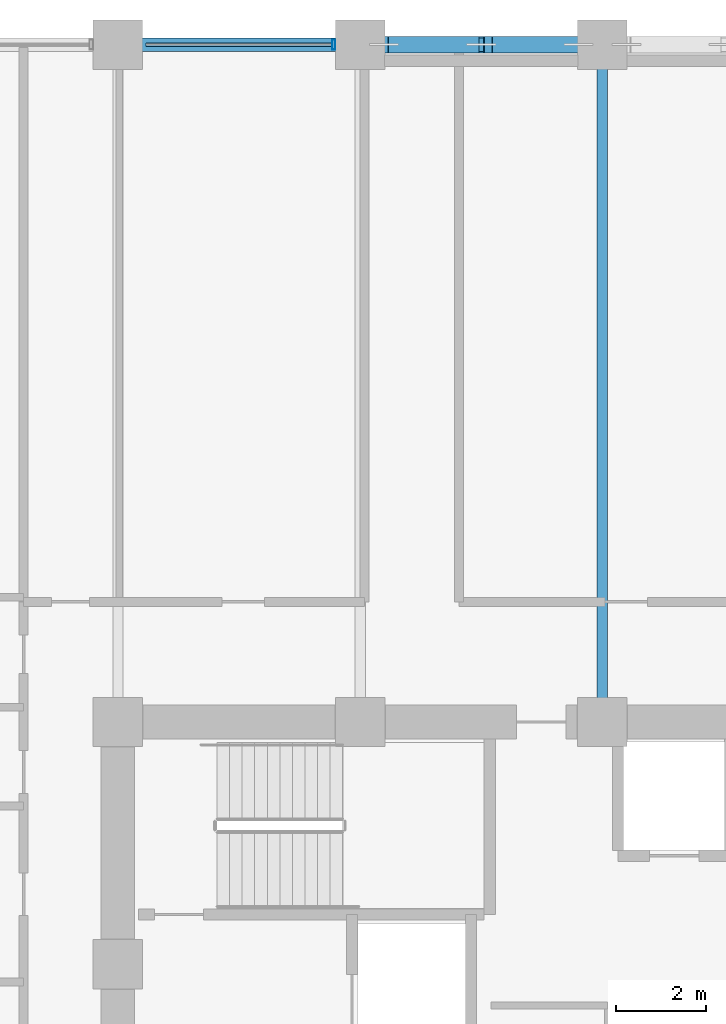
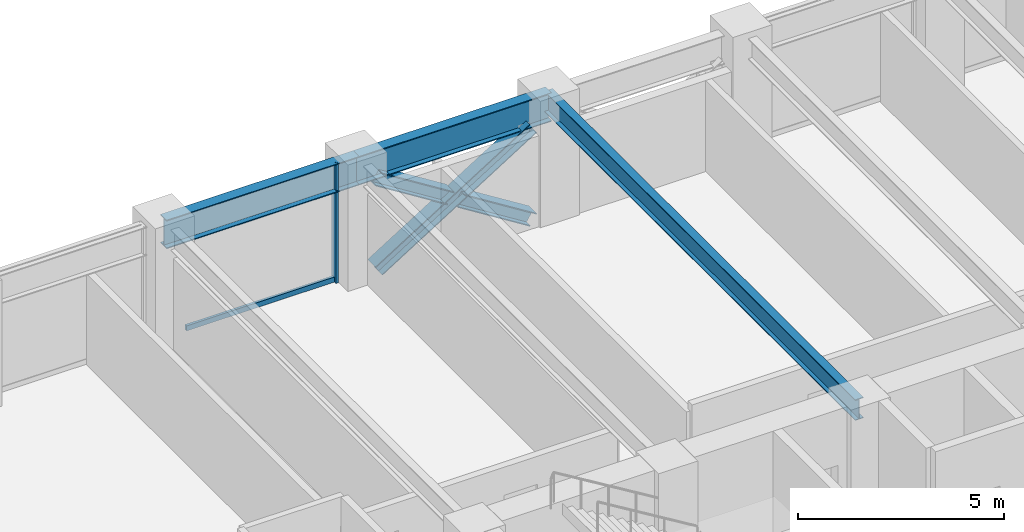
# One storey, part 13 of 25: 5 members, 3 beams, 1 element without a shape of its own.
"""IFC4 building model written with IfcOpenShell, lengths in metres."""

from ifc_helpers import new_model, si_unit, direction, frame, origin, origin_2d, place, context, subcontext, project, spatial, hollow_rectangle, i_section, extrude, material, layer, layer_set, material_profile, profile_set, type_object, element, aggregate, save


model = new_model("IFC4")

# Units and contexts
model_context = context("Model", 3, precision=1e-05, world=origin(), true_north=direction((0.0, 1.0)))
body_context = subcontext(model_context, "Body", "Model", "MODEL_VIEW")
ifc_project = project(units=[si_unit("LENGTHUNIT", "METRE"), si_unit("AREAUNIT", "SQUARE_METRE"), si_unit("VOLUMEUNIT", "CUBIC_METRE"), si_unit("PLANEANGLEUNIT", "RADIAN"), si_unit("MASSUNIT", "GRAM", prefix="KILO")], contexts=[model_context])

# Site, building, storey
site_placement = place(None, origin())
site = spatial("IfcSite", under=ifc_project, at=site_placement, CompositionType="ELEMENT")
building_placement = place(site_placement, origin())
building = spatial("IfcBuilding", under=site, at=building_placement, Name="Surkhivell Harbour Commons", CompositionType="ELEMENT")
storey_placement = place(building_placement, frame((0.0, 0.0, 113.25)))
storey = spatial("IfcBuildingStorey", under=building, at=storey_placement, Name="L29", CompositionType="ELEMENT", Elevation=113.25)

# Beams
ifc_material_1 = material(Name="Steel S355", Category="steel")
ifc_material_profile_1 = material_profile(ifc_material_1, i_section(OverallWidth=0.22998046875, OverallDepth=0.616943359375, WebThickness=0.01318359375, FlangeThickness=0.022216796875, at=origin_2d()), Name="UB610x229x140")
ifc_profile_set_1 = profile_set([ifc_material_profile_1], Name="Steel S355")
beam_type_1 = type_object("IfcBeamType", Name="BM-GRD-610B", PredefinedType="BEAM", material=ifc_profile_set_1)
beam_1_placement = place(storey_placement, frame((0.0, 10.800048828125, 3.261474609375), z_axis=(0.0, 1.0, 0.0), x_axis=(-1.0, 0.0, 0.0)))
element("IfcBeam", 1, at=beam_1_placement, inside=storey, type_object=beam_type_1, Name="L29 Floor Girder (0.0,10.8)", PredefinedType="BEAM", context=body_context, shape_type="SweptSolid", body=[
    extrude(i_section(OverallWidth=0.22998046875, OverallDepth=0.616943359375, WebThickness=0.01318359375, FlangeThickness=0.022216796875, at=origin_2d()), origin(), (0.0, 0.0, 1.0), 15.099853515625),
])
ifc_material_2 = material(Name="Steel S460", Category="steel")
ifc_material_profile_2 = material_profile(ifc_material_2, i_section(OverallWidth=0.2939453125, OverallDepth=0.85107421875, WebThickness=0.01611328125, FlangeThickness=0.02685546875, at=origin_2d()), Name="UB838x292x226")
ifc_profile_set_2 = profile_set([ifc_material_profile_2], Name="Steel S460")
beam_type_2 = type_object("IfcBeamType", Name="BM-SPN-838", PredefinedType="SPANDREL", material=ifc_profile_set_2)
beam_2_placement = place(storey_placement, frame((-10.800048828125, 25.89990234375, 3.14453125), z_axis=(1.0, 0.0, 0.0), x_axis=(0.0, 1.0, 0.0)))
element("IfcBeam", 2, at=beam_2_placement, inside=storey, type_object=beam_type_2, Name="L29 Tube Spandrel (-10.8,25.9)", PredefinedType="SPANDREL", context=body_context, shape_type="SweptSolid", body=[
    extrude(i_section(OverallWidth=0.2939453125, OverallDepth=0.85107421875, WebThickness=0.01611328125, FlangeThickness=0.02685546875, at=origin_2d()), origin(), (0.0, 0.0, 1.0), 5.400146484375),
])
beam_3_placement = place(storey_placement, frame((-5.39990234375, 25.89990234375, 3.14453125), z_axis=(1.0, 0.0, 0.0), x_axis=(0.0, 1.0, 0.0)))
element("IfcBeam", 3, at=beam_3_placement, inside=storey, type_object=beam_type_2, Name="L29 Tube Spandrel (-5.4,25.9)", PredefinedType="SPANDREL", context=body_context, shape_type="SweptSolid", body=[
    extrude(i_section(OverallWidth=0.2939453125, OverallDepth=0.85107421875, WebThickness=0.01611328125, FlangeThickness=0.02685546875, at=origin_2d()), origin(), (0.0, 0.0, 1.0), 5.39990234375),
])

# Curtain wall, members
ifc_material_3 = material(Name="Anodised pale-metal aluminium and insulated glazing", Category="aluminium")
ifc_layer = layer(ifc_material_3, 0.205078125)
ifc_layer_set = layer_set([ifc_layer], Name="Anodised pale-metal aluminium and insulated glazing")
curtain_wall_type = type_object("IfcCurtainWallType", Name="CW-SYS-Z2", PredefinedType="NOTDEFINED", material=ifc_layer_set)
curtain_wall_placement = place(storey_placement, origin())
curtain_wall = element("IfcCurtainWall", 4, at=curtain_wall_placement, inside=storey, type_object=curtain_wall_type, Name="L29 Curtain Wall CW-L29-E07S2", PredefinedType="NOTDEFINED")
ifc_material_4 = material(Name="Anodised pale-metal aluminium alloy 6063-T6", Category="aluminium")
ifc_material_profile_3 = material_profile(ifc_material_4, hollow_rectangle(XDim=0.074951171875, YDim=0.219970703125, WallThickness=0.00390625, at=origin_2d()), Name="ALU-MULL-75x220")
ifc_profile_set_3 = profile_set([ifc_material_profile_3], Name="Anodised pale-metal aluminium alloy 6063-T6")
member_type_1 = type_object("IfcMemberType", Name="CWM-220", PredefinedType="MULLION", material=ifc_profile_set_3)
member_1_placement = place(storey_placement, frame((-5.989501953125, 25.89990234375, 0.0), z_axis=(0.0, 0.0, 1.0), x_axis=(-1.0, 0.0, 0.0)))
member_1 = element("IfcMember", 5, at=member_1_placement, type_object=member_type_1, Name="CW-Z2 mullion 1", PredefinedType="MULLION", context=body_context, shape_type="SweptSolid", body=[
    extrude(hollow_rectangle(XDim=0.074951171875, YDim=0.219970703125, WallThickness=0.00390625, at=origin_2d()), origin(), (0.0, 0.0, 1.0), 3.570068359375),
])
ifc_material_profile_4 = material_profile(ifc_material_4, hollow_rectangle(XDim=0.074951171875, YDim=0.14990234375, WallThickness=0.00341796875, at=origin_2d()), Name="ALU-TRAN-75x150")
ifc_profile_set_4 = profile_set([ifc_material_profile_4], Name="Anodised pale-metal aluminium alloy 6063-T6")
member_type_2 = type_object("IfcMemberType", Name="CWT-150", PredefinedType="USERDEFINED", material=ifc_profile_set_4)
member_2_placement = place(storey_placement, frame((-6.027099609375, 25.89990234375, 0.074951171875), z_axis=(-1.0, 0.0, 0.0), x_axis=(0.0, -1.0, 0.0)))
member_2 = element("IfcMember", 6, at=member_2_placement, type_object=member_type_2, Name="CW-Z2 transom 1.1", ObjectType="TRANSOM", PredefinedType="USERDEFINED", context=body_context, shape_type="SweptSolid", body=[
    extrude(hollow_rectangle(XDim=0.074951171875, YDim=0.14990234375, WallThickness=0.00341796875, at=origin_2d()), origin(), (0.0, 0.0, 1.0), 4.14599609375),
])
aggregate(curtain_wall, [member_1, member_2])

# Members
ifc_material_profile_5 = material_profile(ifc_material_2, i_section(OverallWidth=0.375, OverallDepth=0.375, WebThickness=0.0166015625, FlangeThickness=0.027099609375, at=origin_2d()), Name="UC356x368x202")
ifc_profile_set_5 = profile_set([ifc_material_profile_5], Name="Steel S460")
member_type_3 = type_object("IfcMemberType", Name="MEM-BRC-UC356", PredefinedType="BRACE", material=ifc_profile_set_5)
member_3_placement = place(storey_placement, frame((-4.864990234375, 25.89990234375, 0.008056640625), z_axis=(0.847246015888, 0.0, 0.531200704594), x_axis=(0.0, 1.0, 0.0)))
element("IfcMember", 7, at=member_3_placement, inside=storey, type_object=member_type_3, Name="L29 Perimeter Mega-Brace MB- 01", PredefinedType="BRACE", context=body_context, shape_type="SweptSolid", body=[
    extrude(i_section(OverallWidth=0.375, OverallDepth=0.375, WebThickness=0.0166015625, FlangeThickness=0.027099609375, at=origin_2d()), origin(), (0.0, 0.0, 1.0), 5.11083984375),
])
member_4_placement = place(storey_placement, frame((-0.534912109375, 25.89990234375, 0.008056640625), z_axis=(-0.8472353132, 0.0, 0.531217774615), x_axis=(0.0, -1.0, 0.0)))
element("IfcMember", 8, at=member_4_placement, inside=storey, type_object=member_type_3, Name="L29 Perimeter Mega-Brace MB- 02", PredefinedType="BRACE", context=body_context, shape_type="SweptSolid", body=[
    extrude(i_section(OverallWidth=0.375, OverallDepth=0.375, WebThickness=0.0166015625, FlangeThickness=0.027099609375, at=origin_2d()), origin(), (0.0, 0.0, 1.0), 2.37548828125),
])
member_5_placement = place(storey_placement, frame((-2.8525390625, 25.89990234375, 1.461181640625), z_axis=(-0.84725256761, 0.0, 0.53119025469), x_axis=(0.0, -1.0, 0.0)))
element("IfcMember", 9, at=member_5_placement, inside=storey, type_object=member_type_3, Name="L29 Perimeter Mega-Brace MB- 03", PredefinedType="BRACE", context=body_context, shape_type="SweptSolid", body=[
    extrude(i_section(OverallWidth=0.375, OverallDepth=0.375, WebThickness=0.0166015625, FlangeThickness=0.027099609375, at=origin_2d()), origin(), (0.0, 0.0, 1.0), 2.375244140625),
])

save(model, "model.ifc")
